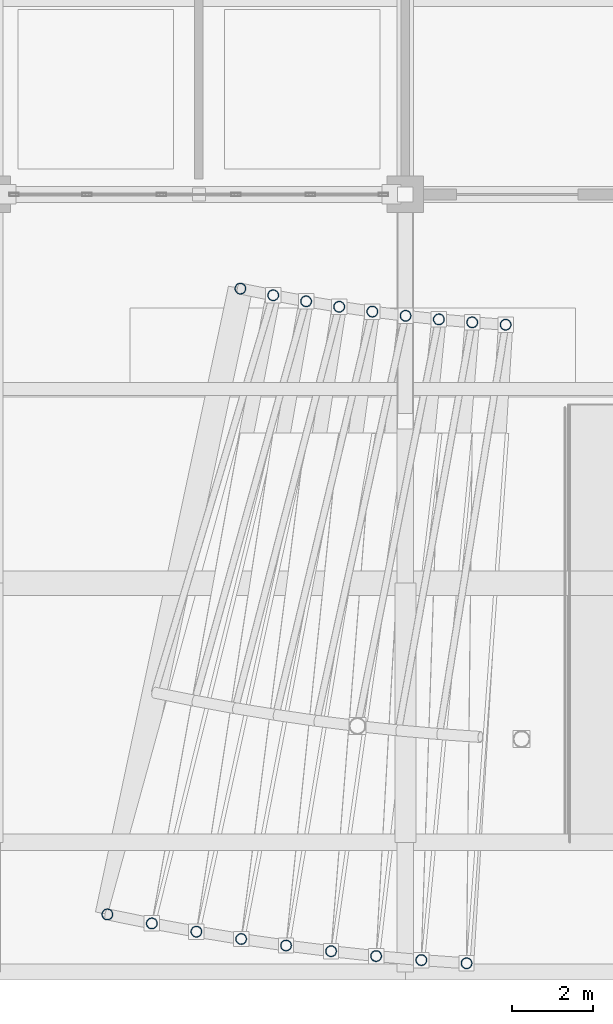
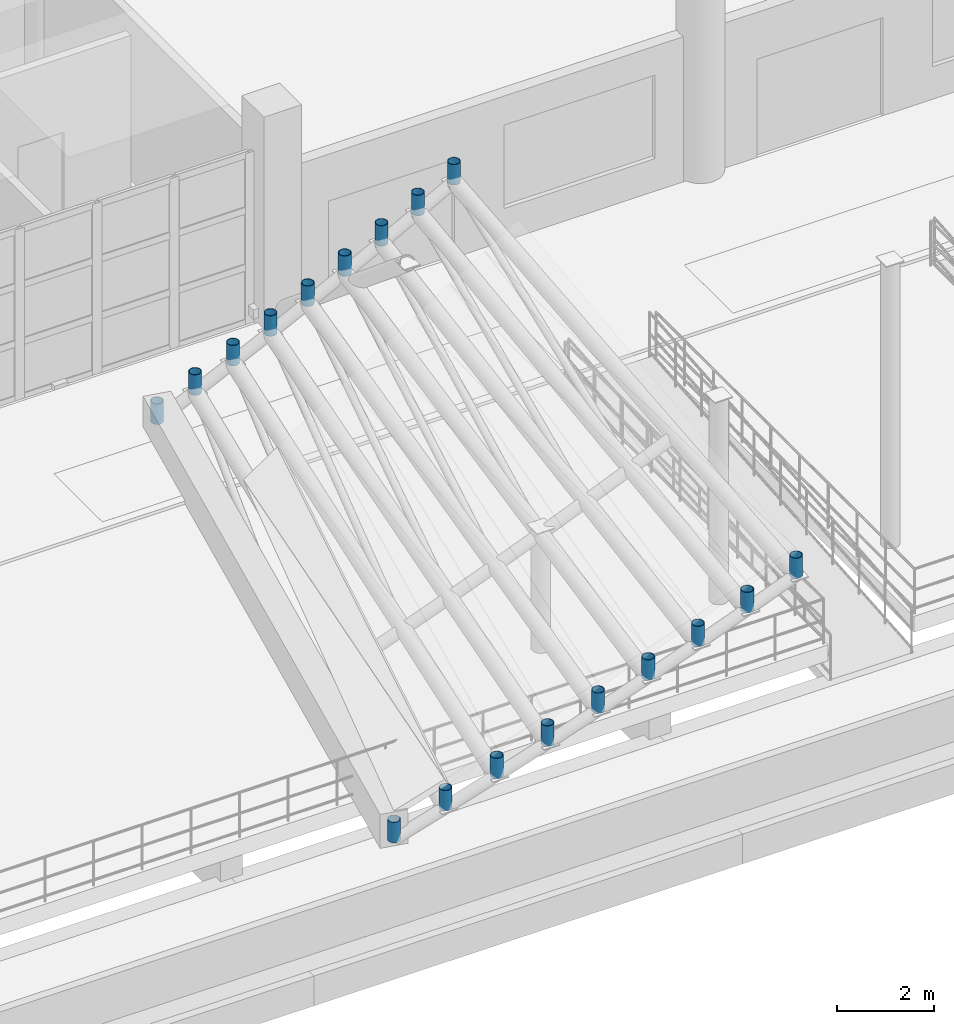
# One storey, part 72 of 124: 18 members.
"""IFC4 building model written with IfcOpenShell, lengths in metres."""

from ifc_helpers import new_model, si_unit, direction, frame, origin, origin_2d, place, context, subcontext, project, spatial, hollow_circle, extrude, material, material_profile, profile_set, type_object, element, save


model = new_model("IFC4")

# Units and contexts
model_context = context("Model", 3, precision=1e-05, world=origin(), true_north=direction((0.0, 1.0)))
body_context = subcontext(model_context, "Body", "Model", "MODEL_VIEW")
ifc_project = project(units=[si_unit("LENGTHUNIT", "METRE"), si_unit("AREAUNIT", "SQUARE_METRE"), si_unit("VOLUMEUNIT", "CUBIC_METRE"), si_unit("PLANEANGLEUNIT", "RADIAN"), si_unit("MASSUNIT", "GRAM", prefix="KILO")], contexts=[model_context])

# Site, building, storey
site_placement = place(None, origin())
site = spatial("IfcSite", under=ifc_project, at=site_placement, CompositionType="ELEMENT")
building_placement = place(site_placement, origin())
building = spatial("IfcBuilding", under=site, at=building_placement, Name="Brelvane Convention Centre", CompositionType="ELEMENT")
storey_placement = place(building_placement, origin())
storey = spatial("IfcBuildingStorey", under=building, at=storey_placement, Name="L00", CompositionType="ELEMENT", Elevation=0.0)

# Members
ifc_material = material(Name="Steel E350 (350 MPa)", Category="steel")
ifc_material_profile = material_profile(ifc_material, hollow_circle(Radius=0.136474609375, WallThickness=0.012451171875, at=origin_2d()), Name="CHS 273.0x12.5")
ifc_profile_set = profile_set([ifc_material_profile], Name="Steel E350 (350 MPa)")
member_type = type_object("IfcMemberType", Name="Steel Strut SF-VT1 (CHS 273.0x12.5)", PredefinedType="STRUT", material=ifc_profile_set)
for number, where, z_axis, x_axis, name in (
    (1, (145.277099609375, 15.983154296875, 4.439208984375), (0.0, 0.0, 1.0), (1.0, 0.0, 0.0), "Boulevard Canopy Deck Stand-off Post 24-IN"),
    (2, (144.312744140625, 0.212646484375, 4.439208984375), (0.0, 0.0, 1.0), (1.0, 0.0, 0.0), "Boulevard Canopy Deck Stand-off Post 24-OUT"),
    (3, (144.4521484375, 16.041259765625, 3.92138671875), (0.0, 0.0, 1.0), (1.0, 0.0, 0.0), "Boulevard Canopy Deck Stand-off Post 25-IN"),
    (4, (143.1953125, 0.29150390625, 3.92138671875), (0.0, 0.0, 1.0), (1.0, 0.0, 0.0), "Boulevard Canopy Deck Stand-off Post 25-OUT"),
    (5, (143.62841796875, 16.11474609375, 3.39892578125), (0.0, 0.0, 1.0), (1.0, 0.0, 0.0), "Boulevard Canopy Deck Stand-off Post 26-IN"),
    (6, (142.079833984375, 0.390869140625, 3.39892578125), (0.0, 0.0, 1.0), (1.0, 0.0, 0.0), "Boulevard Canopy Deck Stand-off Post 26-OUT"),
    (7, (142.80615234375, 16.20361328125, 2.8720703125), (0.0, 0.0, 1.0), (1.0, 0.0, 0.0), "Boulevard Canopy Deck Stand-off Post 27-IN"),
    (8, (140.96630859375, 0.510986328125, 2.8720703125), (0.0, 0.0, 1.0), (1.0, 0.0, 0.0), "Boulevard Canopy Deck Stand-off Post 27-OUT"),
):
    element("IfcMember", number, at=place(storey_placement, frame(where, z_axis=z_axis, x_axis=x_axis)), inside=storey, type_object=member_type, Name=name, PredefinedType="STRUT", context=body_context, shape_type="SweptSolid", body=[
        extrude(hollow_circle(Radius=0.136474609375, WallThickness=0.012451171875, at=origin_2d()), origin(), (0.0, 0.0, 1.0), 0.514892578125),
    ])
for number, where, z_axis, x_axis, name in (
    (9, (141.985595703125, 16.307373046875, 2.340576171875), (0.0, 0.0, 1.0), (1.0, 0.0, 0.0), "Boulevard Canopy Deck Stand-off Post 28-IN"),
    (10, (139.85498046875, 0.651611328125, 2.340576171875), (0.0, 0.0, 1.0), (1.0, 0.0, 0.0), "Boulevard Canopy Deck Stand-off Post 28-OUT"),
):
    element("IfcMember", number, at=place(storey_placement, frame(where, z_axis=z_axis, x_axis=x_axis)), inside=storey, type_object=member_type, Name=name, PredefinedType="STRUT", context=body_context, shape_type="SweptSolid", body=[
        extrude(hollow_circle(Radius=0.136474609375, WallThickness=0.012451171875, at=origin_2d()), origin(), (0.0, 0.0, 1.0), 0.51513671875),
    ])
for number, where, z_axis, x_axis, name in (
    (11, (141.167236328125, 16.426513671875, 1.8046875), (0.0, 0.0, 1.0), (1.0, 0.0, 0.0), "Boulevard Canopy Deck Stand-off Post 29-IN"),
    (12, (138.74658203125, 0.81298828125, 1.8046875), (0.0, 0.0, 1.0), (1.0, 0.0, 0.0), "Boulevard Canopy Deck Stand-off Post 29-OUT"),
    (13, (140.35107421875, 16.560791015625, 1.264404296875), (0.0, 0.0, 1.0), (1.0, 0.0, 0.0), "Boulevard Canopy Deck Stand-off Post 30-IN"),
    (14, (137.641357421875, 0.994873046875, 1.264404296875), (0.0, 0.0, 1.0), (1.0, 0.0, 0.0), "Boulevard Canopy Deck Stand-off Post 30-OUT"),
    (15, (139.53759765625, 16.710205078125, 0.719482421875), (0.0, 0.0, 1.0), (1.0, 0.0, 0.0), "Boulevard Canopy Deck Stand-off Post 31-IN"),
    (16, (136.539794921875, 1.197265625, 0.719482421875), (0.0, 0.0, 1.0), (1.0, 0.0, 0.0), "Boulevard Canopy Deck Stand-off Post 31-OUT"),
):
    element("IfcMember", number, at=place(storey_placement, frame(where, z_axis=z_axis, x_axis=x_axis)), inside=storey, type_object=member_type, Name=name, PredefinedType="STRUT", context=body_context, shape_type="SweptSolid", body=[
        extrude(hollow_circle(Radius=0.136474609375, WallThickness=0.012451171875, at=origin_2d()), origin(), (0.0, 0.0, 1.0), 0.514892578125),
    ])
for number, where, z_axis, x_axis, name in (
    (17, (138.72705078125, 16.87451171875, 0.169921875), (0.0, 0.0, 1.0), (1.0, 0.0, 0.0), "Boulevard Canopy Deck Stand-off Post 32-IN"),
    (18, (135.442138671875, 1.419921875, 0.169921875), (0.0, 0.0, 1.0), (1.0, 0.0, 0.0), "Boulevard Canopy Deck Stand-off Post 32-OUT"),
):
    element("IfcMember", number, at=place(storey_placement, frame(where, z_axis=z_axis, x_axis=x_axis)), inside=storey, type_object=member_type, Name=name, PredefinedType="STRUT", context=body_context, shape_type="SweptSolid", body=[
        extrude(hollow_circle(Radius=0.136474609375, WallThickness=0.012451171875, at=origin_2d()), origin(), (0.0, 0.0, 1.0), 0.51513671875),
    ])

save(model, "model.ifc")
